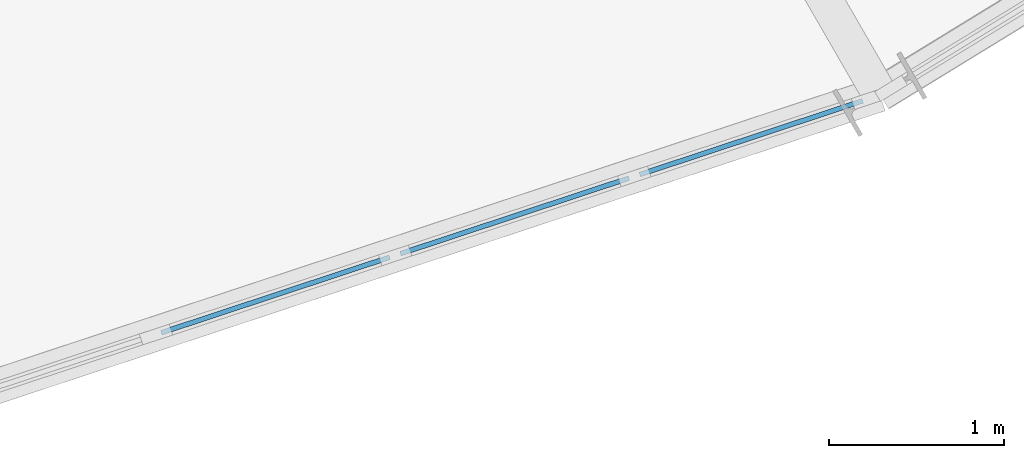
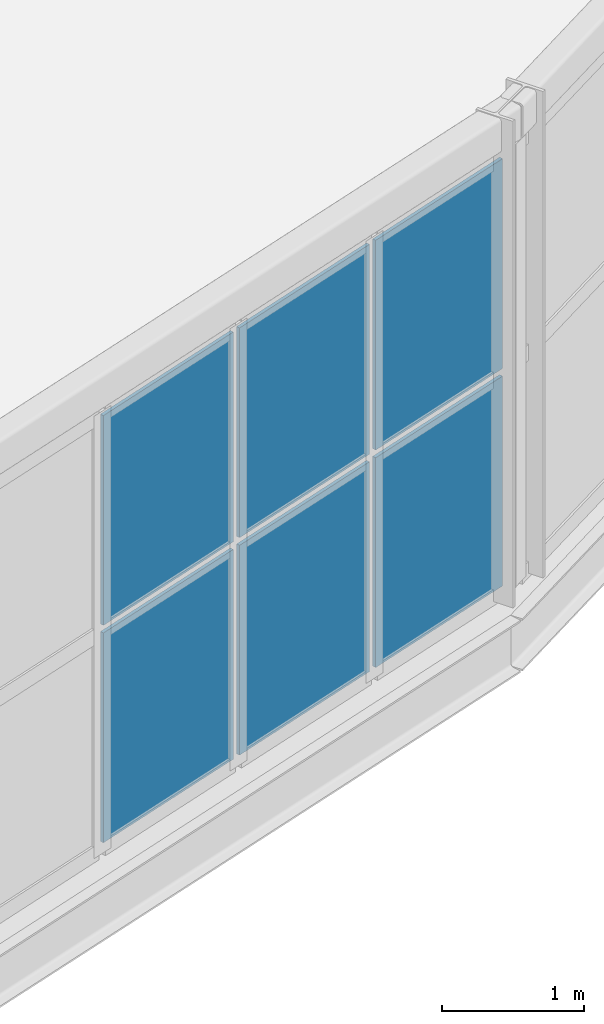
# One storey, part 110 of 161: 6 plates, 1 element without a shape of its own.
"""IFC4 building model written with IfcOpenShell, lengths in metres."""

from ifc_helpers import new_model, si_unit, direction, frame, origin, origin_2d, place, context, subcontext, project, spatial, rectangle, extrude, material, layer, layer_set, type_object, element, aggregate, save


model = new_model("IFC4")

# Units and contexts
model_context = context("Model", 3, precision=1e-05, world=origin(), true_north=direction((0.0, 1.0)))
body_context = subcontext(model_context, "Body", "Model", "MODEL_VIEW")
ifc_project = project(units=[si_unit("LENGTHUNIT", "METRE"), si_unit("AREAUNIT", "SQUARE_METRE"), si_unit("VOLUMEUNIT", "CUBIC_METRE"), si_unit("PLANEANGLEUNIT", "RADIAN"), si_unit("MASSUNIT", "GRAM", prefix="KILO")], contexts=[model_context])

# Site, building, storey
site_placement = place(None, origin())
site = spatial("IfcSite", under=ifc_project, at=site_placement, CompositionType="ELEMENT")
building_placement = place(site_placement, origin())
building = spatial("IfcBuilding", under=site, at=building_placement, Name="Kildeholm Park Wholesale Market", CompositionType="ELEMENT")
storey_placement = place(building_placement, frame((0.0, 0.0, 5.39990234375)))
storey = spatial("IfcBuildingStorey", under=building, at=storey_placement, Name="L01", CompositionType="ELEMENT", Elevation=5.39990234375)

# Curtain wall, plates
ifc_material_1 = material(Name="Anodised aluminium and low-E double-glazed glass", Category="aluminium")
curtain_wall_type = type_object("IfcCurtainWallType", Name="Market hall glazed arcade stick curtain wall CW-01", PredefinedType="NOTDEFINED", material=ifc_material_1)
curtain_wall_placement = place(storey_placement, origin())
curtain_wall = element("IfcCurtainWall", 1, at=curtain_wall_placement, inside=storey, type_object=curtain_wall_type, Name="Curtain wall CW-V1-OT-19-1 CW-0094", PredefinedType="NOTDEFINED")
ifc_material_2 = material(Name="Double-glazed low-E insulated glass", Category="glass")
ifc_layer = layer(ifc_material_2, 0.028076171875)
ifc_layer_set = layer_set([ifc_layer], Name="Double-glazed low-E insulated glass")
plate_type = type_object("IfcPlateType", Name="Curtain-wall panel CWP-1 28 mm", PredefinedType="CURTAIN_PANEL", material=ifc_layer_set)
plate_1_placement = place(storey_placement, frame((124.046142578125, 48.948974609375, 0.06494140625), z_axis=(0.0, 0.0, 1.0), x_axis=(0.949451374478, 0.313914140335, 0.0)))
plate_1 = element("IfcPlate", 2, at=plate_1_placement, type_object=plate_type, Name="CW-01 panel 8.1 PLT-1430", PredefinedType="CURTAIN_PANEL", context=body_context, shape_type="SweptSolid", body=[
    extrude(rectangle(XDim=1.375, YDim=0.028076171875, at=origin_2d()), origin(), (0.0, 0.0, 1.0), 1.802490234375),
])
plate_2_placement = place(storey_placement, frame((124.046142578125, 48.948974609375, 1.9326171875), z_axis=(0.0, 0.0, 1.0), x_axis=(0.949451374478, 0.313914140335, 0.0)))
plate_2 = element("IfcPlate", 3, at=plate_2_placement, type_object=plate_type, Name="CW-01 panel 8.2 PLT-1431", PredefinedType="CURTAIN_PANEL", context=body_context, shape_type="SweptSolid", body=[
    extrude(rectangle(XDim=1.375, YDim=0.028076171875, at=origin_2d()), origin(), (0.0, 0.0, 1.0), 1.802490234375),
])
plate_3_placement = place(storey_placement, frame((125.413330078125, 49.40087890625, 0.06494140625), z_axis=(0.0, 0.0, 1.0), x_axis=(0.949451374478, 0.313914140335, 0.0)))
plate_3 = element("IfcPlate", 4, at=plate_3_placement, type_object=plate_type, Name="CW-01 panel 9.1 PLT-1432", PredefinedType="CURTAIN_PANEL", context=body_context, shape_type="SweptSolid", body=[
    extrude(rectangle(XDim=1.375, YDim=0.028076171875, at=origin_2d()), origin(), (0.0, 0.0, 1.0), 1.802490234375),
])
plate_4_placement = place(storey_placement, frame((125.413330078125, 49.40087890625, 1.9326171875), z_axis=(0.0, 0.0, 1.0), x_axis=(0.949451374478, 0.313914140335, 0.0)))
plate_4 = element("IfcPlate", 5, at=plate_4_placement, type_object=plate_type, Name="CW-01 panel 9.2 PLT-1433", PredefinedType="CURTAIN_PANEL", context=body_context, shape_type="SweptSolid", body=[
    extrude(rectangle(XDim=1.375, YDim=0.028076171875, at=origin_2d()), origin(), (0.0, 0.0, 1.0), 1.802490234375),
])
plate_5_placement = place(storey_placement, frame((126.76513671875, 49.847900390625, 0.06494140625), z_axis=(0.0, 0.0, 1.0), x_axis=(0.949451374478, 0.313914140335, 0.0)))
plate_5 = element("IfcPlate", 6, at=plate_5_placement, type_object=plate_type, Name="CW-01 panel 10.1 PLT-1434", PredefinedType="CURTAIN_PANEL", context=body_context, shape_type="SweptSolid", body=[
    extrude(rectangle(XDim=1.34228515625, YDim=0.028076171875, at=origin_2d()), origin(), (0.0, 0.0, 1.0), 1.802490234375),
])
plate_6_placement = place(storey_placement, frame((126.76513671875, 49.847900390625, 1.9326171875), z_axis=(0.0, 0.0, 1.0), x_axis=(0.949451374478, 0.313914140335, 0.0)))
plate_6 = element("IfcPlate", 7, at=plate_6_placement, type_object=plate_type, Name="CW-01 panel 10.2 PLT-1435", PredefinedType="CURTAIN_PANEL", context=body_context, shape_type="SweptSolid", body=[
    extrude(rectangle(XDim=1.34228515625, YDim=0.028076171875, at=origin_2d()), origin(), (0.0, 0.0, 1.0), 1.802490234375),
])
aggregate(curtain_wall, [plate_1, plate_2, plate_3, plate_4, plate_5, plate_6])

save(model, "model.ifc")
